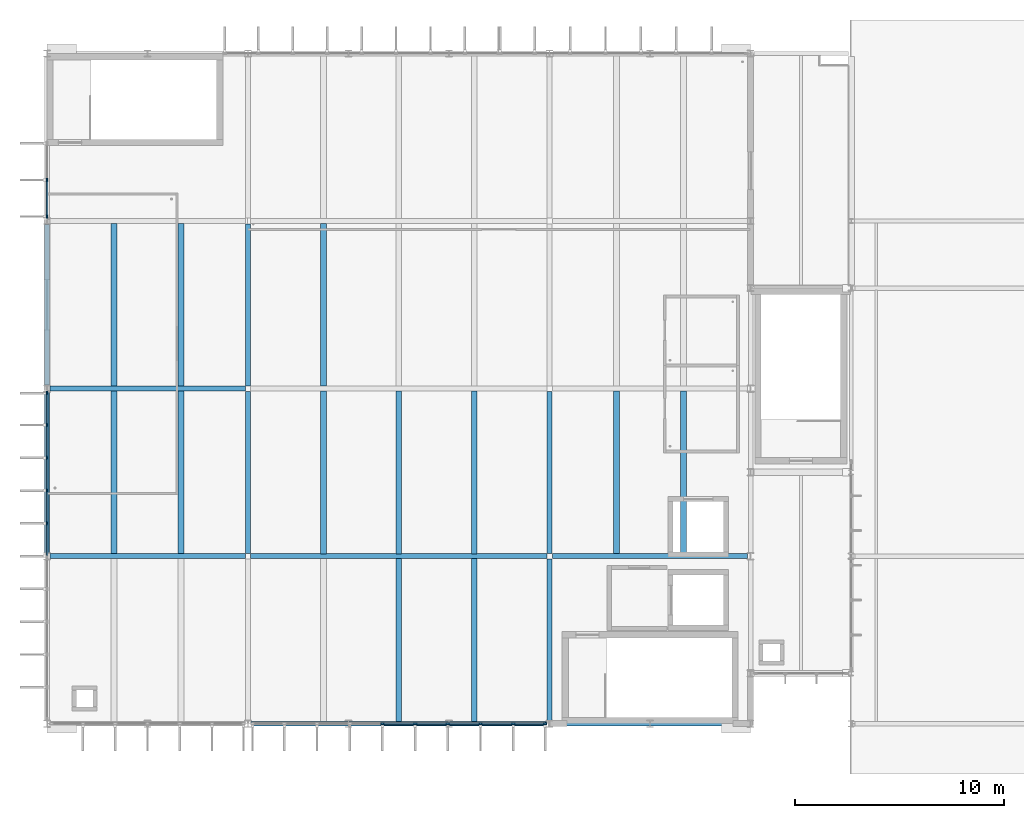
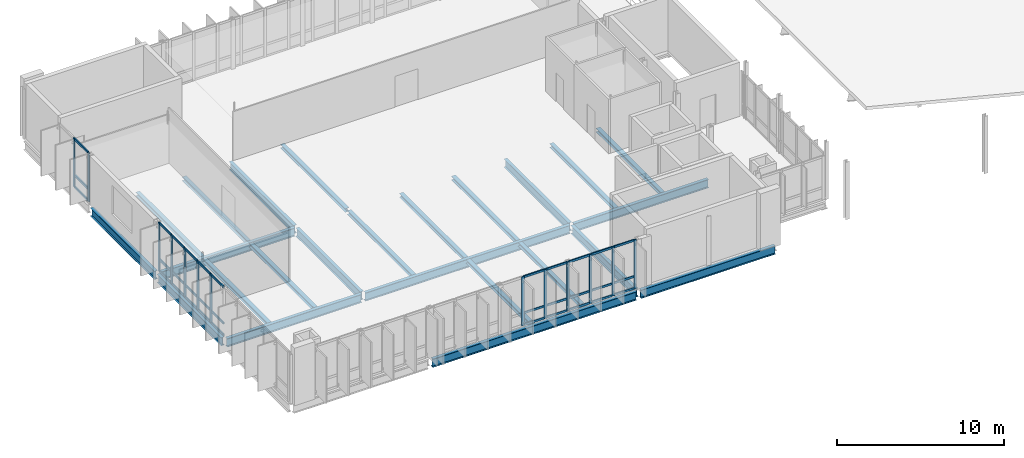
# One storey, part 7 of 22: 46 members, 24 beams, 3 elements without a shape of their own.
"""IFC4 building model written with IfcOpenShell, lengths in metres."""

from ifc_helpers import new_model, si_unit, direction, frame, origin, origin_2d, place, context, subcontext, project, spatial, rectangle, i_section, extrude, material, material_profile, profile_set, type_object, element, aggregate, save


model = new_model("IFC4")

# Units and contexts
model_context = context("Model", 3, precision=1e-05, world=origin(), true_north=direction((0.0, 1.0)))
body_context = subcontext(model_context, "Body", "Model", "MODEL_VIEW")
ifc_project = project(units=[si_unit("LENGTHUNIT", "METRE"), si_unit("AREAUNIT", "SQUARE_METRE"), si_unit("VOLUMEUNIT", "CUBIC_METRE"), si_unit("PLANEANGLEUNIT", "RADIAN"), si_unit("MASSUNIT", "GRAM", prefix="KILO")], contexts=[model_context])

# Site, building, storey
site_placement = place(None, origin())
site = spatial("IfcSite", under=ifc_project, at=site_placement, CompositionType="ELEMENT")
building_placement = place(site_placement, origin())
building = spatial("IfcBuilding", under=site, at=building_placement, Name="Dunescarp Central Library", CompositionType="ELEMENT")
storey_placement = place(building_placement, frame((0.0, 0.0, 27.60009765625)))
storey = spatial("IfcBuildingStorey", under=building, at=storey_placement, Name="L06", CompositionType="ELEMENT", Elevation=27.60009765625)

# Curtain wall, members
ifc_material_1 = material(Name="Marine-grade anodised aluminium 6063-T6", Category="aluminium")
curtain_wall_type = type_object("IfcCurtainWallType", Name="ARC-CW-STICK", PredefinedType="NOTDEFINED", material=ifc_material_1)
curtain_wall_1_placement = place(storey_placement, origin())
curtain_wall_1 = element("IfcCurtainWall", 1, at=curtain_wall_1_placement, inside=storey, type_object=curtain_wall_type, Name="L06 curtain wall CW-V1-039", PredefinedType="NOTDEFINED")
ifc_material_profile_1 = material_profile(ifc_material_1, rectangle(XDim=0.080078125, YDim=0.179931640625, at=origin_2d()), Name="AL 80x180")
ifc_profile_set_1 = profile_set([ifc_material_profile_1], Name="Marine-grade anodised aluminium 6063-T6")
member_type_1 = type_object("IfcMemberType", Name="ARC-CWM-180", PredefinedType="MULLION", material=ifc_profile_set_1)
member_1_placement = place(storey_placement, frame((23.784912109375, 4.800048828125, 0.0), z_axis=(0.0, 0.0, 1.0), x_axis=(0.0, -1.0, 0.0)))
member_1 = element("IfcMember", 2, at=member_1_placement, type_object=member_type_1, Name="CW-V1-039 mullion 1", PredefinedType="MULLION", context=body_context, shape_type="SweptSolid", body=[
    extrude(rectangle(XDim=0.080078125, YDim=0.179931640625, at=origin_2d()), origin(), (0.0, 0.0, 1.0), 3.574951171875),
])
member_2_placement = place(storey_placement, frame((22.263916015625, 4.800048828125, 0.0), z_axis=(0.0, 0.0, 1.0), x_axis=(0.0, -1.0, 0.0)))
member_2 = element("IfcMember", 3, at=member_2_placement, type_object=member_type_1, Name="CW-V1-039 mullion 2", PredefinedType="MULLION", context=body_context, shape_type="SweptSolid", body=[
    extrude(rectangle(XDim=0.080078125, YDim=0.179931640625, at=origin_2d()), origin(), (0.0, 0.0, 1.0), 3.574951171875),
])
member_3_placement = place(storey_placement, frame((20.702880859375, 4.800048828125, 0.0), z_axis=(0.0, 0.0, 1.0), x_axis=(0.0, -1.0, 0.0)))
member_3 = element("IfcMember", 4, at=member_3_placement, type_object=member_type_1, Name="CW-V1-039 mullion 3", PredefinedType="MULLION", context=body_context, shape_type="SweptSolid", body=[
    extrude(rectangle(XDim=0.080078125, YDim=0.179931640625, at=origin_2d()), origin(), (0.0, 0.0, 1.0), 3.574951171875),
])
member_4_placement = place(storey_placement, frame((19.1416015625, 4.800048828125, 0.0), z_axis=(0.0, 0.0, 1.0), x_axis=(0.0, -1.0, 0.0)))
member_4 = element("IfcMember", 5, at=member_4_placement, type_object=member_type_1, Name="CW-V1-039 mullion 4", PredefinedType="MULLION", context=body_context, shape_type="SweptSolid", body=[
    extrude(rectangle(XDim=0.080078125, YDim=0.179931640625, at=origin_2d()), origin(), (0.0, 0.0, 1.0), 3.574951171875),
])
member_5_placement = place(storey_placement, frame((17.58056640625, 4.800048828125, 0.0), z_axis=(0.0, 0.0, 1.0), x_axis=(0.0, -1.0, 0.0)))
member_5 = element("IfcMember", 6, at=member_5_placement, type_object=member_type_1, Name="CW-V1-039 mullion 5", PredefinedType="MULLION", context=body_context, shape_type="SweptSolid", body=[
    extrude(rectangle(XDim=0.080078125, YDim=0.179931640625, at=origin_2d()), origin(), (0.0, 0.0, 1.0), 3.574951171875),
])
member_6_placement = place(storey_placement, frame((16.01953125, 4.800048828125, 0.0), z_axis=(0.0, 0.0, 1.0), x_axis=(0.0, -1.0, 0.0)))
member_6 = element("IfcMember", 7, at=member_6_placement, type_object=member_type_1, Name="CW-V1-039 mullion 6", PredefinedType="MULLION", context=body_context, shape_type="SweptSolid", body=[
    extrude(rectangle(XDim=0.080078125, YDim=0.179931640625, at=origin_2d()), origin(), (0.0, 0.0, 1.0), 3.574951171875),
])

curtain_wall_2_placement = place(storey_placement, origin())
curtain_wall_2 = element("IfcCurtainWall", 8, at=curtain_wall_2_placement, inside=storey, type_object=curtain_wall_type, Name="L06 curtain wall CW-V1-042", PredefinedType="NOTDEFINED")
member_7_placement = place(storey_placement, frame((0.0, 14.364990234375, 0.0), z_axis=(0.0, 0.0, 1.0), x_axis=(-1.0, 0.0, 0.0)))
member_7 = element("IfcMember", 9, at=member_7_placement, type_object=member_type_1, Name="CW-V1-042 mullion 7", PredefinedType="MULLION", context=body_context, shape_type="SweptSolid", body=[
    extrude(rectangle(XDim=0.080078125, YDim=0.179931640625, at=origin_2d()), origin(), (0.0, 0.0, 1.0), 3.574951171875),
])
member_8_placement = place(storey_placement, frame((0.0, 15.929931640625, 0.0), z_axis=(0.0, 0.0, 1.0), x_axis=(-1.0, 0.0, 0.0)))
member_8 = element("IfcMember", 10, at=member_8_placement, type_object=member_type_1, Name="CW-V1-042 mullion 8", PredefinedType="MULLION", context=body_context, shape_type="SweptSolid", body=[
    extrude(rectangle(XDim=0.080078125, YDim=0.179931640625, at=origin_2d()), origin(), (0.0, 0.0, 1.0), 3.574951171875),
])
member_9_placement = place(storey_placement, frame((0.0, 17.4951171875, 0.0), z_axis=(0.0, 0.0, 1.0), x_axis=(-1.0, 0.0, 0.0)))
member_9 = element("IfcMember", 11, at=member_9_placement, type_object=member_type_1, Name="CW-V1-042 mullion 9", PredefinedType="MULLION", context=body_context, shape_type="SweptSolid", body=[
    extrude(rectangle(XDim=0.080078125, YDim=0.179931640625, at=origin_2d()), origin(), (0.0, 0.0, 1.0), 3.574951171875),
])
member_10_placement = place(storey_placement, frame((0.0, 19.06005859375, 0.0), z_axis=(0.0, 0.0, 1.0), x_axis=(-1.0, 0.0, 0.0)))
member_10 = element("IfcMember", 12, at=member_10_placement, type_object=member_type_1, Name="CW-V1-042 mullion 10", PredefinedType="MULLION", context=body_context, shape_type="SweptSolid", body=[
    extrude(rectangle(XDim=0.080078125, YDim=0.179931640625, at=origin_2d()), origin(), (0.0, 0.0, 1.0), 3.574951171875),
])
member_11_placement = place(storey_placement, frame((0.0, 20.5849609375, 0.0), z_axis=(0.0, 0.0, 1.0), x_axis=(-1.0, 0.0, 0.0)))
member_11 = element("IfcMember", 13, at=member_11_placement, type_object=member_type_1, Name="CW-V1-042 mullion 11", PredefinedType="MULLION", context=body_context, shape_type="SweptSolid", body=[
    extrude(rectangle(XDim=0.080078125, YDim=0.179931640625, at=origin_2d()), origin(), (0.0, 0.0, 1.0), 3.574951171875),
])

curtain_wall_3_placement = place(storey_placement, origin())
curtain_wall_3 = element("IfcCurtainWall", 14, at=curtain_wall_3_placement, inside=storey, type_object=curtain_wall_type, Name="L06 curtain wall CW-V1-043", PredefinedType="NOTDEFINED")
member_12_placement = place(storey_placement, frame((0.0, 29.014892578125, 0.0), z_axis=(0.0, 0.0, 1.0), x_axis=(-1.0, 0.0, 0.0)))
member_12 = element("IfcMember", 15, at=member_12_placement, type_object=member_type_1, Name="CW-V1-043 mullion 1", PredefinedType="MULLION", context=body_context, shape_type="SweptSolid", body=[
    extrude(rectangle(XDim=0.080078125, YDim=0.179931640625, at=origin_2d()), origin(), (0.0, 0.0, 1.0), 3.574951171875),
])
member_13_placement = place(storey_placement, frame((0.0, 30.762451171875, 0.0), z_axis=(0.0, 0.0, 1.0), x_axis=(-1.0, 0.0, 0.0)))
member_13 = element("IfcMember", 16, at=member_13_placement, type_object=member_type_1, Name="CW-V1-043 mullion 2", PredefinedType="MULLION", context=body_context, shape_type="SweptSolid", body=[
    extrude(rectangle(XDim=0.080078125, YDim=0.179931640625, at=origin_2d()), origin(), (0.0, 0.0, 1.0), 3.574951171875),
])

# Member
ifc_material_profile_2 = material_profile(ifc_material_1, rectangle(XDim=0.080078125, YDim=0.14990234375, at=origin_2d()), Name="AL 80x150")
ifc_profile_set_2 = profile_set([ifc_material_profile_2], Name="Marine-grade anodised aluminium 6063-T6")
member_type_2 = type_object("IfcMemberType", Name="ARC-CWT-150", PredefinedType="USERDEFINED", material=ifc_profile_set_2)
member_14_placement = place(storey_placement, frame((23.7451171875, 4.800048828125, 0.039794921875), z_axis=(-1.0, 0.0, 0.0), x_axis=(0.0, -1.0, 0.0)))
member_14 = element("IfcMember", 17, at=member_14_placement, type_object=member_type_2, Name="CW-V1-039 transom 1.1", ObjectType="TRANSOM", PredefinedType="USERDEFINED", context=body_context, shape_type="SweptSolid", body=[
    extrude(rectangle(XDim=0.080078125, YDim=0.14990234375, at=origin_2d()), origin(), (0.0, 0.0, 1.0), 1.441162109375),
])

member_15_placement = place(storey_placement, frame((23.7451171875, 4.800048828125, 0.89990234375), z_axis=(-1.0, 0.0, 0.0), x_axis=(0.0, -1.0, 0.0)))
member_15 = element("IfcMember", 18, at=member_15_placement, type_object=member_type_2, Name="CW-V1-039 transom 1.2", ObjectType="TRANSOM", PredefinedType="USERDEFINED", context=body_context, shape_type="SweptSolid", body=[
    extrude(rectangle(XDim=0.080078125, YDim=0.14990234375, at=origin_2d()), origin(), (0.0, 0.0, 1.0), 1.441162109375),
])

member_16_placement = place(storey_placement, frame((23.7451171875, 4.800048828125, 3.534912109375), z_axis=(-1.0, 0.0, 0.0), x_axis=(0.0, -1.0, 0.0)))
member_16 = element("IfcMember", 19, at=member_16_placement, type_object=member_type_2, Name="CW-V1-039 transom 1.3", ObjectType="TRANSOM", PredefinedType="USERDEFINED", context=body_context, shape_type="SweptSolid", body=[
    extrude(rectangle(XDim=0.080078125, YDim=0.14990234375, at=origin_2d()), origin(), (0.0, 0.0, 1.0), 1.441162109375),
])

member_17_placement = place(storey_placement, frame((22.223876953125, 4.800048828125, 0.039794921875), z_axis=(-1.0, 0.0, 0.0), x_axis=(0.0, -1.0, 0.0)))
member_17 = element("IfcMember", 20, at=member_17_placement, type_object=member_type_2, Name="CW-V1-039 transom 2.1", ObjectType="TRANSOM", PredefinedType="USERDEFINED", context=body_context, shape_type="SweptSolid", body=[
    extrude(rectangle(XDim=0.080078125, YDim=0.14990234375, at=origin_2d()), origin(), (0.0, 0.0, 1.0), 1.481201171875),
])

member_18_placement = place(storey_placement, frame((22.223876953125, 4.800048828125, 0.89990234375), z_axis=(-1.0, 0.0, 0.0), x_axis=(0.0, -1.0, 0.0)))
member_18 = element("IfcMember", 21, at=member_18_placement, type_object=member_type_2, Name="CW-V1-039 transom 2.2", ObjectType="TRANSOM", PredefinedType="USERDEFINED", context=body_context, shape_type="SweptSolid", body=[
    extrude(rectangle(XDim=0.080078125, YDim=0.14990234375, at=origin_2d()), origin(), (0.0, 0.0, 1.0), 1.481201171875),
])

member_19_placement = place(storey_placement, frame((22.223876953125, 4.800048828125, 3.534912109375), z_axis=(-1.0, 0.0, 0.0), x_axis=(0.0, -1.0, 0.0)))
member_19 = element("IfcMember", 22, at=member_19_placement, type_object=member_type_2, Name="CW-V1-039 transom 2.3", ObjectType="TRANSOM", PredefinedType="USERDEFINED", context=body_context, shape_type="SweptSolid", body=[
    extrude(rectangle(XDim=0.080078125, YDim=0.14990234375, at=origin_2d()), origin(), (0.0, 0.0, 1.0), 1.481201171875),
])

member_20_placement = place(storey_placement, frame((20.662841796875, 4.800048828125, 0.039794921875), z_axis=(-1.0, 0.0, 0.0), x_axis=(0.0, -1.0, 0.0)))
member_20 = element("IfcMember", 23, at=member_20_placement, type_object=member_type_2, Name="CW-V1-039 transom 3.1", ObjectType="TRANSOM", PredefinedType="USERDEFINED", context=body_context, shape_type="SweptSolid", body=[
    extrude(rectangle(XDim=0.080078125, YDim=0.14990234375, at=origin_2d()), origin(), (0.0, 0.0, 1.0), 1.481201171875),
])

member_21_placement = place(storey_placement, frame((20.662841796875, 4.800048828125, 0.89990234375), z_axis=(-1.0, 0.0, 0.0), x_axis=(0.0, -1.0, 0.0)))
member_21 = element("IfcMember", 24, at=member_21_placement, type_object=member_type_2, Name="CW-V1-039 transom 3.2", ObjectType="TRANSOM", PredefinedType="USERDEFINED", context=body_context, shape_type="SweptSolid", body=[
    extrude(rectangle(XDim=0.080078125, YDim=0.14990234375, at=origin_2d()), origin(), (0.0, 0.0, 1.0), 1.481201171875),
])

member_22_placement = place(storey_placement, frame((20.662841796875, 4.800048828125, 3.534912109375), z_axis=(-1.0, 0.0, 0.0), x_axis=(0.0, -1.0, 0.0)))
member_22 = element("IfcMember", 25, at=member_22_placement, type_object=member_type_2, Name="CW-V1-039 transom 3.3", ObjectType="TRANSOM", PredefinedType="USERDEFINED", context=body_context, shape_type="SweptSolid", body=[
    extrude(rectangle(XDim=0.080078125, YDim=0.14990234375, at=origin_2d()), origin(), (0.0, 0.0, 1.0), 1.481201171875),
])

member_23_placement = place(storey_placement, frame((19.1015625, 4.800048828125, 0.039794921875), z_axis=(-1.0, 0.0, 0.0), x_axis=(0.0, -1.0, 0.0)))
member_23 = element("IfcMember", 26, at=member_23_placement, type_object=member_type_2, Name="CW-V1-039 transom 4.1", ObjectType="TRANSOM", PredefinedType="USERDEFINED", context=body_context, shape_type="SweptSolid", body=[
    extrude(rectangle(XDim=0.080078125, YDim=0.14990234375, at=origin_2d()), origin(), (0.0, 0.0, 1.0), 1.48095703125),
])

member_24_placement = place(storey_placement, frame((19.1015625, 4.800048828125, 0.89990234375), z_axis=(-1.0, 0.0, 0.0), x_axis=(0.0, -1.0, 0.0)))
member_24 = element("IfcMember", 27, at=member_24_placement, type_object=member_type_2, Name="CW-V1-039 transom 4.2", ObjectType="TRANSOM", PredefinedType="USERDEFINED", context=body_context, shape_type="SweptSolid", body=[
    extrude(rectangle(XDim=0.080078125, YDim=0.14990234375, at=origin_2d()), origin(), (0.0, 0.0, 1.0), 1.48095703125),
])

member_25_placement = place(storey_placement, frame((19.1015625, 4.800048828125, 3.534912109375), z_axis=(-1.0, 0.0, 0.0), x_axis=(0.0, -1.0, 0.0)))
member_25 = element("IfcMember", 28, at=member_25_placement, type_object=member_type_2, Name="CW-V1-039 transom 4.3", ObjectType="TRANSOM", PredefinedType="USERDEFINED", context=body_context, shape_type="SweptSolid", body=[
    extrude(rectangle(XDim=0.080078125, YDim=0.14990234375, at=origin_2d()), origin(), (0.0, 0.0, 1.0), 1.48095703125),
])

member_26_placement = place(storey_placement, frame((17.54052734375, 4.800048828125, 0.039794921875), z_axis=(-1.0, 0.0, 0.0), x_axis=(0.0, -1.0, 0.0)))
member_26 = element("IfcMember", 29, at=member_26_placement, type_object=member_type_2, Name="CW-V1-039 transom 5.1", ObjectType="TRANSOM", PredefinedType="USERDEFINED", context=body_context, shape_type="SweptSolid", body=[
    extrude(rectangle(XDim=0.080078125, YDim=0.14990234375, at=origin_2d()), origin(), (0.0, 0.0, 1.0), 1.481201171875),
])

member_27_placement = place(storey_placement, frame((17.54052734375, 4.800048828125, 0.89990234375), z_axis=(-1.0, 0.0, 0.0), x_axis=(0.0, -1.0, 0.0)))
member_27 = element("IfcMember", 30, at=member_27_placement, type_object=member_type_2, Name="CW-V1-039 transom 5.2", ObjectType="TRANSOM", PredefinedType="USERDEFINED", context=body_context, shape_type="SweptSolid", body=[
    extrude(rectangle(XDim=0.080078125, YDim=0.14990234375, at=origin_2d()), origin(), (0.0, 0.0, 1.0), 1.481201171875),
])

member_28_placement = place(storey_placement, frame((17.54052734375, 4.800048828125, 3.534912109375), z_axis=(-1.0, 0.0, 0.0), x_axis=(0.0, -1.0, 0.0)))
member_28 = element("IfcMember", 31, at=member_28_placement, type_object=member_type_2, Name="CW-V1-039 transom 5.3", ObjectType="TRANSOM", PredefinedType="USERDEFINED", context=body_context, shape_type="SweptSolid", body=[
    extrude(rectangle(XDim=0.080078125, YDim=0.14990234375, at=origin_2d()), origin(), (0.0, 0.0, 1.0), 1.481201171875),
])

aggregate(curtain_wall_1, [member_1, member_2, member_3, member_4, member_5, member_6, member_14, member_15, member_16, member_17, member_18, member_19, member_20, member_21, member_22, member_23, member_24, member_25, member_26, member_27, member_28])

member_29_placement = place(storey_placement, frame((0.0, 12.840087890625, 0.039794921875), z_axis=(0.0, 1.0, 0.0), x_axis=(-1.0, 0.0, 0.0)))
member_29 = element("IfcMember", 32, at=member_29_placement, type_object=member_type_2, Name="CW-V1-042 transom 6.1", ObjectType="TRANSOM", PredefinedType="USERDEFINED", context=body_context, shape_type="SweptSolid", body=[
    extrude(rectangle(XDim=0.080078125, YDim=0.14990234375, at=origin_2d()), origin(), (0.0, 0.0, 1.0), 1.48486328125),
])

member_30_placement = place(storey_placement, frame((0.0, 12.840087890625, 0.89990234375), z_axis=(0.0, 1.0, 0.0), x_axis=(-1.0, 0.0, 0.0)))
member_30 = element("IfcMember", 33, at=member_30_placement, type_object=member_type_2, Name="CW-V1-042 transom 6.2", ObjectType="TRANSOM", PredefinedType="USERDEFINED", context=body_context, shape_type="SweptSolid", body=[
    extrude(rectangle(XDim=0.080078125, YDim=0.14990234375, at=origin_2d()), origin(), (0.0, 0.0, 1.0), 1.48486328125),
])

member_31_placement = place(storey_placement, frame((0.0, 12.840087890625, 3.534912109375), z_axis=(0.0, 1.0, 0.0), x_axis=(-1.0, 0.0, 0.0)))
member_31 = element("IfcMember", 34, at=member_31_placement, type_object=member_type_2, Name="CW-V1-042 transom 6.3", ObjectType="TRANSOM", PredefinedType="USERDEFINED", context=body_context, shape_type="SweptSolid", body=[
    extrude(rectangle(XDim=0.080078125, YDim=0.14990234375, at=origin_2d()), origin(), (0.0, 0.0, 1.0), 1.48486328125),
])

member_32_placement = place(storey_placement, frame((0.0, 14.405029296875, 0.039794921875), z_axis=(0.0, 1.0, 0.0), x_axis=(-1.0, 0.0, 0.0)))
member_32 = element("IfcMember", 35, at=member_32_placement, type_object=member_type_2, Name="CW-V1-042 transom 7.1", ObjectType="TRANSOM", PredefinedType="USERDEFINED", context=body_context, shape_type="SweptSolid", body=[
    extrude(rectangle(XDim=0.080078125, YDim=0.14990234375, at=origin_2d()), origin(), (0.0, 0.0, 1.0), 1.48486328125),
])

member_33_placement = place(storey_placement, frame((0.0, 14.405029296875, 0.89990234375), z_axis=(0.0, 1.0, 0.0), x_axis=(-1.0, 0.0, 0.0)))
member_33 = element("IfcMember", 36, at=member_33_placement, type_object=member_type_2, Name="CW-V1-042 transom 7.2", ObjectType="TRANSOM", PredefinedType="USERDEFINED", context=body_context, shape_type="SweptSolid", body=[
    extrude(rectangle(XDim=0.080078125, YDim=0.14990234375, at=origin_2d()), origin(), (0.0, 0.0, 1.0), 1.48486328125),
])

member_34_placement = place(storey_placement, frame((0.0, 14.405029296875, 3.534912109375), z_axis=(0.0, 1.0, 0.0), x_axis=(-1.0, 0.0, 0.0)))
member_34 = element("IfcMember", 37, at=member_34_placement, type_object=member_type_2, Name="CW-V1-042 transom 7.3", ObjectType="TRANSOM", PredefinedType="USERDEFINED", context=body_context, shape_type="SweptSolid", body=[
    extrude(rectangle(XDim=0.080078125, YDim=0.14990234375, at=origin_2d()), origin(), (0.0, 0.0, 1.0), 1.48486328125),
])

member_35_placement = place(storey_placement, frame((0.0, 15.969970703125, 0.039794921875), z_axis=(0.0, 1.0, 0.0), x_axis=(-1.0, 0.0, 0.0)))
member_35 = element("IfcMember", 38, at=member_35_placement, type_object=member_type_2, Name="CW-V1-042 transom 8.1", ObjectType="TRANSOM", PredefinedType="USERDEFINED", context=body_context, shape_type="SweptSolid", body=[
    extrude(rectangle(XDim=0.080078125, YDim=0.14990234375, at=origin_2d()), origin(), (0.0, 0.0, 1.0), 1.485107421875),
])

member_36_placement = place(storey_placement, frame((0.0, 15.969970703125, 0.89990234375), z_axis=(0.0, 1.0, 0.0), x_axis=(-1.0, 0.0, 0.0)))
member_36 = element("IfcMember", 39, at=member_36_placement, type_object=member_type_2, Name="CW-V1-042 transom 8.2", ObjectType="TRANSOM", PredefinedType="USERDEFINED", context=body_context, shape_type="SweptSolid", body=[
    extrude(rectangle(XDim=0.080078125, YDim=0.14990234375, at=origin_2d()), origin(), (0.0, 0.0, 1.0), 1.485107421875),
])

member_37_placement = place(storey_placement, frame((0.0, 15.969970703125, 3.534912109375), z_axis=(0.0, 1.0, 0.0), x_axis=(-1.0, 0.0, 0.0)))
member_37 = element("IfcMember", 40, at=member_37_placement, type_object=member_type_2, Name="CW-V1-042 transom 8.3", ObjectType="TRANSOM", PredefinedType="USERDEFINED", context=body_context, shape_type="SweptSolid", body=[
    extrude(rectangle(XDim=0.080078125, YDim=0.14990234375, at=origin_2d()), origin(), (0.0, 0.0, 1.0), 1.485107421875),
])

member_38_placement = place(storey_placement, frame((0.0, 17.534912109375, 0.039794921875), z_axis=(0.0, 1.0, 0.0), x_axis=(-1.0, 0.0, 0.0)))
member_38 = element("IfcMember", 41, at=member_38_placement, type_object=member_type_2, Name="CW-V1-042 transom 9.1", ObjectType="TRANSOM", PredefinedType="USERDEFINED", context=body_context, shape_type="SweptSolid", body=[
    extrude(rectangle(XDim=0.080078125, YDim=0.14990234375, at=origin_2d()), origin(), (0.0, 0.0, 1.0), 1.485107421875),
])

member_39_placement = place(storey_placement, frame((0.0, 17.534912109375, 0.89990234375), z_axis=(0.0, 1.0, 0.0), x_axis=(-1.0, 0.0, 0.0)))
member_39 = element("IfcMember", 42, at=member_39_placement, type_object=member_type_2, Name="CW-V1-042 transom 9.2", ObjectType="TRANSOM", PredefinedType="USERDEFINED", context=body_context, shape_type="SweptSolid", body=[
    extrude(rectangle(XDim=0.080078125, YDim=0.14990234375, at=origin_2d()), origin(), (0.0, 0.0, 1.0), 1.485107421875),
])

member_40_placement = place(storey_placement, frame((0.0, 17.534912109375, 3.534912109375), z_axis=(0.0, 1.0, 0.0), x_axis=(-1.0, 0.0, 0.0)))
member_40 = element("IfcMember", 43, at=member_40_placement, type_object=member_type_2, Name="CW-V1-042 transom 9.3", ObjectType="TRANSOM", PredefinedType="USERDEFINED", context=body_context, shape_type="SweptSolid", body=[
    extrude(rectangle(XDim=0.080078125, YDim=0.14990234375, at=origin_2d()), origin(), (0.0, 0.0, 1.0), 1.485107421875),
])

member_41_placement = place(storey_placement, frame((0.0, 19.10009765625, 0.039794921875), z_axis=(0.0, 1.0, 0.0), x_axis=(-1.0, 0.0, 0.0)))
member_41 = element("IfcMember", 44, at=member_41_placement, type_object=member_type_2, Name="CW-V1-042 transom 10.1", ObjectType="TRANSOM", PredefinedType="USERDEFINED", context=body_context, shape_type="SweptSolid", body=[
    extrude(rectangle(XDim=0.080078125, YDim=0.14990234375, at=origin_2d()), origin(), (0.0, 0.0, 1.0), 1.44482421875),
])

member_42_placement = place(storey_placement, frame((0.0, 19.10009765625, 0.89990234375), z_axis=(0.0, 1.0, 0.0), x_axis=(-1.0, 0.0, 0.0)))
member_42 = element("IfcMember", 45, at=member_42_placement, type_object=member_type_2, Name="CW-V1-042 transom 10.2", ObjectType="TRANSOM", PredefinedType="USERDEFINED", context=body_context, shape_type="SweptSolid", body=[
    extrude(rectangle(XDim=0.080078125, YDim=0.14990234375, at=origin_2d()), origin(), (0.0, 0.0, 1.0), 1.44482421875),
])

member_43_placement = place(storey_placement, frame((0.0, 19.10009765625, 3.534912109375), z_axis=(0.0, 1.0, 0.0), x_axis=(-1.0, 0.0, 0.0)))
member_43 = element("IfcMember", 46, at=member_43_placement, type_object=member_type_2, Name="CW-V1-042 transom 10.3", ObjectType="TRANSOM", PredefinedType="USERDEFINED", context=body_context, shape_type="SweptSolid", body=[
    extrude(rectangle(XDim=0.080078125, YDim=0.14990234375, at=origin_2d()), origin(), (0.0, 0.0, 1.0), 1.44482421875),
])

aggregate(curtain_wall_2, [member_7, member_8, member_9, member_10, member_11, member_29, member_30, member_31, member_32, member_33, member_34, member_35, member_36, member_37, member_38, member_39, member_40, member_41, member_42, member_43])

member_44_placement = place(storey_placement, frame((0.0, 29.054931640625, 0.039794921875), z_axis=(0.0, 1.0, 0.0), x_axis=(-1.0, 0.0, 0.0)))
member_44 = element("IfcMember", 47, at=member_44_placement, type_object=member_type_2, Name="CW-V1-043 transom 1.1", ObjectType="TRANSOM", PredefinedType="USERDEFINED", context=body_context, shape_type="SweptSolid", body=[
    extrude(rectangle(XDim=0.080078125, YDim=0.14990234375, at=origin_2d()), origin(), (0.0, 0.0, 1.0), 1.66748046875),
])

member_45_placement = place(storey_placement, frame((0.0, 29.054931640625, 0.89990234375), z_axis=(0.0, 1.0, 0.0), x_axis=(-1.0, 0.0, 0.0)))
member_45 = element("IfcMember", 48, at=member_45_placement, type_object=member_type_2, Name="CW-V1-043 transom 1.2", ObjectType="TRANSOM", PredefinedType="USERDEFINED", context=body_context, shape_type="SweptSolid", body=[
    extrude(rectangle(XDim=0.080078125, YDim=0.14990234375, at=origin_2d()), origin(), (0.0, 0.0, 1.0), 1.66748046875),
])

member_46_placement = place(storey_placement, frame((0.0, 29.054931640625, 3.534912109375), z_axis=(0.0, 1.0, 0.0), x_axis=(-1.0, 0.0, 0.0)))
member_46 = element("IfcMember", 49, at=member_46_placement, type_object=member_type_2, Name="CW-V1-043 transom 1.3", ObjectType="TRANSOM", PredefinedType="USERDEFINED", context=body_context, shape_type="SweptSolid", body=[
    extrude(rectangle(XDim=0.080078125, YDim=0.14990234375, at=origin_2d()), origin(), (0.0, 0.0, 1.0), 1.66748046875),
])

aggregate(curtain_wall_3, [member_12, member_13, member_44, member_45, member_46])

# Beams
ifc_material_2 = material(Name="Steel S355JR", Category="steel")
ifc_material_profile_3 = material_profile(ifc_material_2, i_section(OverallWidth=0.22900390625, OverallDepth=0.6123046875, WebThickness=0.011962890625, FlangeThickness=0.01953125, at=origin_2d()), Name="UB 610x229x125")
ifc_profile_set_3 = profile_set([ifc_material_profile_3], Name="Steel S355JR")
beam_type_1 = type_object("IfcBeamType", Name="STR-BM-UB610", PredefinedType="BEAM", material=ifc_profile_set_3)
for number, where, z_axis, x_axis, name in (
    (50, (0.153076171875, 12.800048828125, -0.51611328125), (1.0, 0.0, 0.0), (0.0, 1.0, 0.0), "L06 girder BM-L06-0277"),
    (51, (0.153076171875, 20.800048828125, -0.51611328125), (1.0, 0.0, 0.0), (0.0, 1.0, 0.0), "L06 girder BM-L06-0282"),
):
    element("IfcBeam", number, at=place(storey_placement, frame(where, z_axis=z_axis, x_axis=x_axis)), inside=storey, type_object=beam_type_1, Name=name, PredefinedType="BEAM", context=body_context, shape_type="SweptSolid", body=[
        extrude(i_section(OverallWidth=0.22900390625, OverallDepth=0.6123046875, WebThickness=0.011962890625, FlangeThickness=0.01953125, at=origin_2d()), origin(), (0.0, 0.0, 1.0), 9.31884765625),
    ])
beam_1_placement = place(storey_placement, frame((9.7529296875, 4.800048828125, -0.51611328125), z_axis=(1.0, 0.0, 0.0), x_axis=(0.0, 1.0, 0.0)))
element("IfcBeam", 52, at=beam_1_placement, inside=storey, type_object=beam_type_1, Name="L06 girder BM-L06-0295", PredefinedType="BEAM", context=body_context, shape_type="SweptSolid", body=[
    extrude(i_section(OverallWidth=0.22900390625, OverallDepth=0.6123046875, WebThickness=0.011962890625, FlangeThickness=0.01953125, at=origin_2d()), origin(), (0.0, 0.0, 1.0), 14.093994140625),
])
beam_2_placement = place(storey_placement, frame((9.72802734375, 12.800048828125, -0.51611328125), z_axis=(1.0, 0.0, 0.0), x_axis=(0.0, 1.0, 0.0)))
element("IfcBeam", 53, at=beam_2_placement, inside=storey, type_object=beam_type_1, Name="L06 girder BM-L06-0296", PredefinedType="BEAM", context=body_context, shape_type="SweptSolid", body=[
    extrude(i_section(OverallWidth=0.22900390625, OverallDepth=0.6123046875, WebThickness=0.011962890625, FlangeThickness=0.01953125, at=origin_2d()), origin(), (0.0, 0.0, 1.0), 14.14404296875),
])
beam_3_placement = place(storey_placement, frame((24.153076171875, 4.800048828125, -0.51611328125), z_axis=(1.0, 0.0, 0.0), x_axis=(0.0, 1.0, 0.0)))
element("IfcBeam", 54, at=beam_3_placement, inside=storey, type_object=beam_type_1, Name="L06 girder BM-L06-0316", PredefinedType="BEAM", context=body_context, shape_type="SweptSolid", body=[
    extrude(i_section(OverallWidth=0.22900390625, OverallDepth=0.6123046875, WebThickness=0.011962890625, FlangeThickness=0.01953125, at=origin_2d()), origin(), (0.0, 0.0, 1.0), 9.2939453125),
])
beam_4_placement = place(storey_placement, frame((24.1279296875, 12.800048828125, -0.51611328125), z_axis=(1.0, 0.0, 0.0), x_axis=(0.0, 1.0, 0.0)))
element("IfcBeam", 55, at=beam_4_placement, inside=storey, type_object=beam_type_1, Name="L06 girder BM-L06-0317", PredefinedType="BEAM", context=body_context, shape_type="SweptSolid", body=[
    extrude(i_section(OverallWidth=0.22900390625, OverallDepth=0.6123046875, WebThickness=0.011962890625, FlangeThickness=0.01953125, at=origin_2d()), origin(), (0.0, 0.0, 1.0), 9.319091796875),
])
ifc_material_profile_4 = material_profile(ifc_material_2, i_section(OverallWidth=0.2275390625, OverallDepth=0.6025390625, WebThickness=0.010498046875, FlangeThickness=0.014892578125, at=origin_2d()), Name="UB 610x229x101")
ifc_profile_set_4 = profile_set([ifc_material_profile_4], Name="Steel S355JR")
beam_type_2 = type_object("IfcBeamType", Name="STR-BM-UB610X101", PredefinedType="BEAM", material=ifc_profile_set_4)
beam_5_placement = place(storey_placement, frame((0.0, 12.9609375, -0.510986328125), z_axis=(0.0, 1.0, 0.0), x_axis=(-1.0, 0.0, 0.0)))
element("IfcBeam", 56, at=beam_5_placement, inside=storey, type_object=beam_type_2, Name="L06 girder BM-L06-0283", PredefinedType="BEAM", context=body_context, shape_type="SweptSolid", body=[
    extrude(i_section(OverallWidth=0.2275390625, OverallDepth=0.6025390625, WebThickness=0.010498046875, FlangeThickness=0.014892578125, at=origin_2d()), origin(), (0.0, 0.0, 1.0), 7.677978515625),
])
beam_6_placement = place(storey_placement, frame((9.60009765625, 12.93505859375, -0.510986328125), z_axis=(0.0, 1.0, 0.0), x_axis=(-1.0, 0.0, 0.0)))
element("IfcBeam", 57, at=beam_6_placement, inside=storey, type_object=beam_type_2, Name="L06 girder BM-L06-0284", PredefinedType="BEAM", context=body_context, shape_type="SweptSolid", body=[
    extrude(i_section(OverallWidth=0.2275390625, OverallDepth=0.6025390625, WebThickness=0.010498046875, FlangeThickness=0.014892578125, at=origin_2d()), origin(), (0.0, 0.0, 1.0), 7.72998046875),
])
beam_7_placement = place(storey_placement, frame((0.0, 20.9609375, -0.510986328125), z_axis=(0.0, 1.0, 0.0), x_axis=(-1.0, 0.0, 0.0)))
element("IfcBeam", 58, at=beam_7_placement, inside=storey, type_object=beam_type_2, Name="L06 girder BM-L06-0288", PredefinedType="BEAM", context=body_context, shape_type="SweptSolid", body=[
    extrude(i_section(OverallWidth=0.2275390625, OverallDepth=0.6025390625, WebThickness=0.010498046875, FlangeThickness=0.014892578125, at=origin_2d()), origin(), (0.0, 0.0, 1.0), 7.677978515625),
])
beam_8_placement = place(storey_placement, frame((9.60009765625, 20.93505859375, -0.510986328125), z_axis=(0.0, 1.0, 0.0), x_axis=(-1.0, 0.0, 0.0)))
element("IfcBeam", 59, at=beam_8_placement, inside=storey, type_object=beam_type_2, Name="L06 girder BM-L06-0289", PredefinedType="BEAM", context=body_context, shape_type="SweptSolid", body=[
    extrude(i_section(OverallWidth=0.2275390625, OverallDepth=0.6025390625, WebThickness=0.010498046875, FlangeThickness=0.014892578125, at=origin_2d()), origin(), (0.0, 0.0, 1.0), 7.72998046875),
])
beam_9_placement = place(storey_placement, frame((24.0, 4.9609375, -0.510986328125), z_axis=(0.0, 1.0, 0.0), x_axis=(-1.0, 0.0, 0.0)))
element("IfcBeam", 60, at=beam_9_placement, inside=storey, type_object=beam_type_2, Name="L06 girder BM-L06-0297", PredefinedType="BEAM", context=body_context, shape_type="SweptSolid", body=[
    extrude(i_section(OverallWidth=0.2275390625, OverallDepth=0.6025390625, WebThickness=0.010498046875, FlangeThickness=0.014892578125, at=origin_2d()), origin(), (0.0, 0.0, 1.0), 7.7041015625),
])
beam_10_placement = place(storey_placement, frame((24.0, 12.93505859375, -0.510986328125), z_axis=(0.0, 1.0, 0.0), x_axis=(-1.0, 0.0, 0.0)))
element("IfcBeam", 61, at=beam_10_placement, inside=storey, type_object=beam_type_2, Name="L06 girder BM-L06-0302", PredefinedType="BEAM", context=body_context, shape_type="SweptSolid", body=[
    extrude(i_section(OverallWidth=0.2275390625, OverallDepth=0.6025390625, WebThickness=0.010498046875, FlangeThickness=0.014892578125, at=origin_2d()), origin(), (0.0, 0.0, 1.0), 7.72998046875),
])
ifc_material_profile_5 = material_profile(ifc_material_2, i_section(OverallWidth=0.280029296875, OverallDepth=0.27001953125, WebThickness=0.008056640625, FlangeThickness=0.012939453125, at=origin_2d()), Name="HEA 280")
ifc_profile_set_5 = profile_set([ifc_material_profile_5], Name="Steel S355JR")
beam_type_3 = type_object("IfcBeamType", Name="STR-JS-HEA280", PredefinedType="JOIST", material=ifc_profile_set_5)
for number, where, z_axis, x_axis, name in (
    (62, (3.199951171875, 12.9130859375, -0.34521484375), (0.0, 1.0, 0.0), (-1.0, 0.0, 0.0), "L06 joist JS-L06-0285"),
    (63, (6.39990234375, 12.9130859375, -0.34521484375), (0.0, 1.0, 0.0), (-1.0, 0.0, 0.0), "L06 joist JS-L06-0286"),
    (64, (3.199951171875, 20.9130859375, -0.34521484375), (0.0, 1.0, 0.0), (-1.0, 0.0, 0.0), "L06 joist JS-L06-0290"),
    (65, (6.39990234375, 20.9130859375, -0.34521484375), (0.0, 1.0, 0.0), (-1.0, 0.0, 0.0), "L06 joist JS-L06-0291"),
    (66, (16.800048828125, 4.9130859375, -0.34521484375), (0.0, 1.0, 0.0), (-1.0, 0.0, 0.0), "L06 joist JS-L06-0299"),
    (67, (20.39990234375, 4.9130859375, -0.34521484375), (0.0, 1.0, 0.0), (-1.0, 0.0, 0.0), "L06 joist JS-L06-0300"),
    (68, (13.199951171875, 12.9130859375, -0.34521484375), (0.0, 1.0, 0.0), (-1.0, 0.0, 0.0), "L06 joist JS-L06-0303"),
    (69, (16.800048828125, 12.9130859375, -0.34521484375), (0.0, 1.0, 0.0), (-1.0, 0.0, 0.0), "L06 joist JS-L06-0304"),
    (70, (20.39990234375, 12.9130859375, -0.34521484375), (0.0, 1.0, 0.0), (-1.0, 0.0, 0.0), "L06 joist JS-L06-0305"),
    (71, (13.199951171875, 20.9130859375, -0.34521484375), (0.0, 1.0, 0.0), (-1.0, 0.0, 0.0), "L06 joist JS-L06-0308"),
    (72, (27.199951171875, 12.9130859375, -0.34521484375), (0.0, 1.0, 0.0), (-1.0, 0.0, 0.0), "L06 joist JS-L06-0321"),
    (73, (30.39990234375, 12.9130859375, -0.34521484375), (0.0, 1.0, 0.0), (-1.0, 0.0, 0.0), "L06 joist JS-L06-0322"),
):
    element("IfcBeam", number, at=place(storey_placement, frame(where, z_axis=z_axis, x_axis=x_axis)), inside=storey, type_object=beam_type_3, Name=name, PredefinedType="JOIST", context=body_context, shape_type="SweptSolid", body=[
        extrude(i_section(OverallWidth=0.280029296875, OverallDepth=0.27001953125, WebThickness=0.008056640625, FlangeThickness=0.012939453125, at=origin_2d()), origin(), (0.0, 0.0, 1.0), 7.77392578125),
    ])

save(model, "model.ifc")
